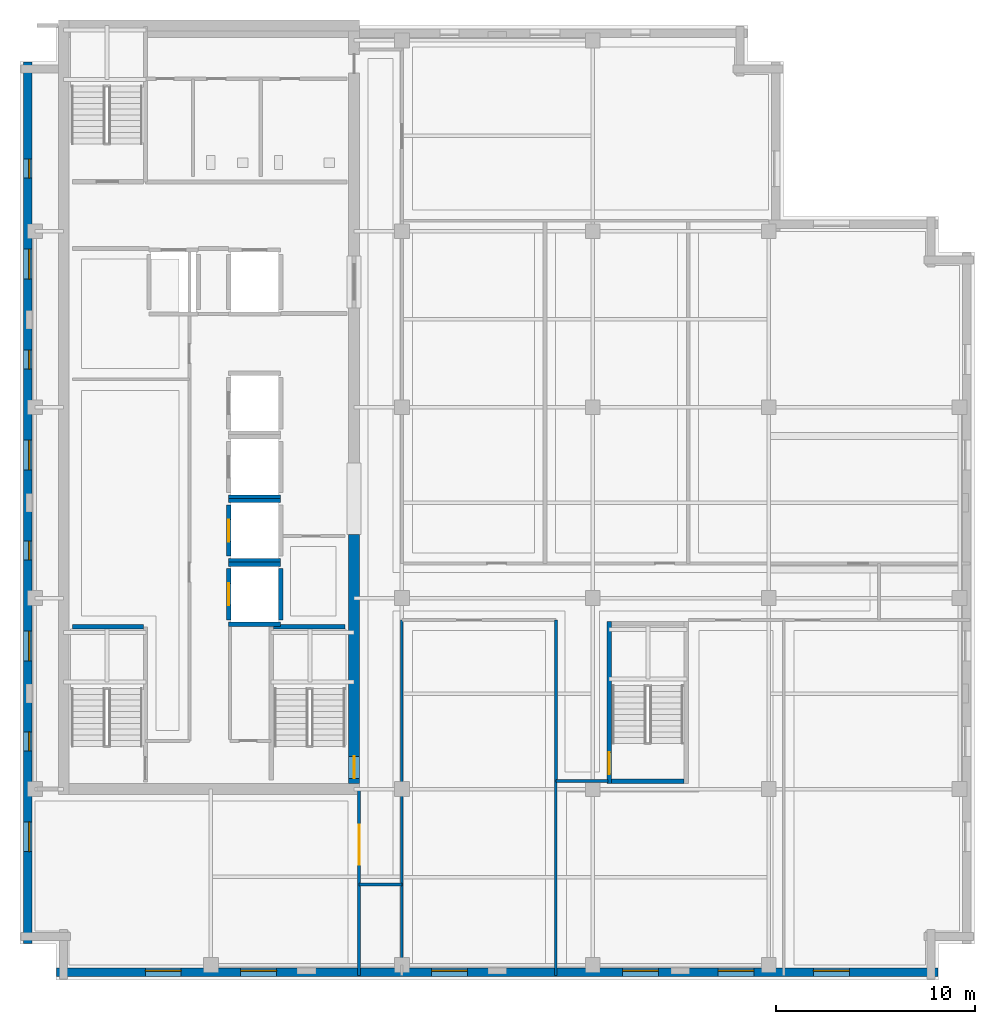
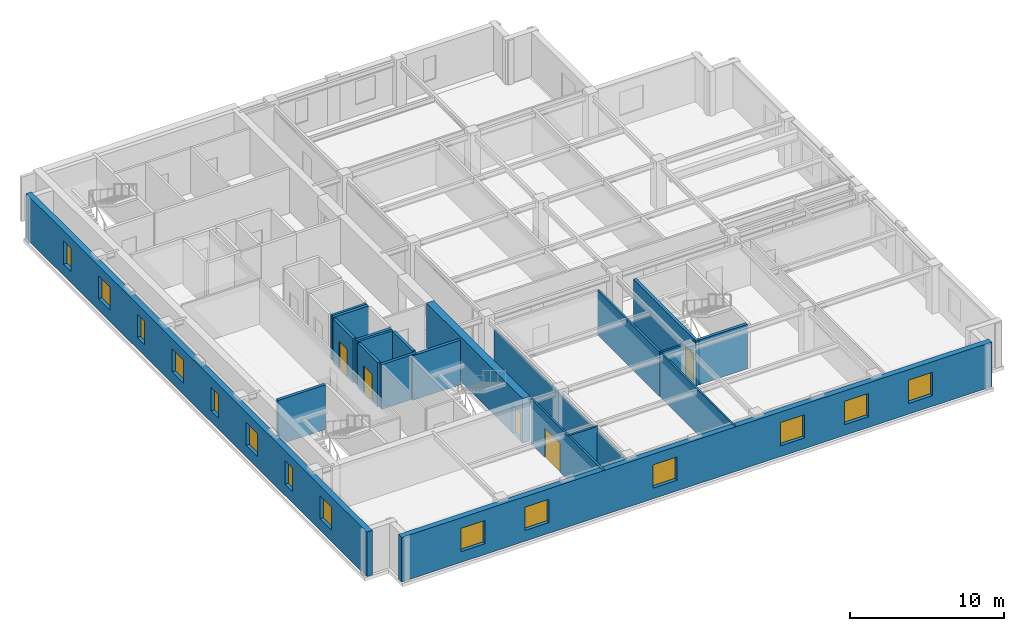
# One storey, part 3 of 10: 21 walls, 14 windows, 5 doors, 19 openings.
"""IFC4 building model written with IfcOpenShell, lengths in metres."""

from ifc_helpers import new_model, si_unit, direction, frame, frame_2d, origin, place, context, subcontext, project, spatial, rectangle, extrude, material, layer, layer_set, type_object, element, fill, save


model = new_model("IFC4")

# Units and contexts
model_context = context("Model", 3, precision=1e-05, world=origin(), true_north=direction((0.0, 1.0)))
body_context = subcontext(model_context, "Body", "Model", "MODEL_VIEW")
ifc_project = project(units=[si_unit("LENGTHUNIT", "METRE"), si_unit("AREAUNIT", "SQUARE_METRE"), si_unit("VOLUMEUNIT", "CUBIC_METRE"), si_unit("PLANEANGLEUNIT", "RADIAN"), si_unit("MASSUNIT", "GRAM", prefix="KILO")], contexts=[model_context])

# Site, building, storey
site_placement = place(None, origin())
site = spatial("IfcSite", under=ifc_project, at=site_placement, CompositionType="ELEMENT")
building_placement = place(site_placement, origin())
building = spatial("IfcBuilding", under=site, at=building_placement, Name="Norrvale University Quadrangle", CompositionType="ELEMENT")
storey_placement = place(building_placement, frame((0.0, 0.0, 273.39990234375)))
storey = spatial("IfcBuildingStorey", under=building, at=storey_placement, Name="L69", CompositionType="ELEMENT", Elevation=273.39990234375)

# Wall, openings, windows
ifc_material_1 = material(Name="Buff Norman Clay Brick Masonry", Category="masonry")
ifc_layer_1 = layer(ifc_material_1, 0.419921875, Name="Buff Norman Clay Brick Masonry")
ifc_layer_set_1 = layer_set([ifc_layer_1], Name="Buff Norman Clay Brick Masonry")
wall_type_1 = type_object("IfcWallType", Name="Wall Buff Brick 420", PredefinedType="SOLIDWALL", material=ifc_layer_set_1)
wall_1_placement = place(storey_placement, frame((1.840087890625, 0.389892578125, 0.0), z_axis=(0.0, 0.0, 1.0), x_axis=(1.0, 0.0, 0.0)))
wall_1 = element("IfcWall", 1, at=wall_1_placement, inside=storey, type_object=wall_type_1, Name="Exterior Brick Facade Wall L69-01.1", PredefinedType="SOLIDWALL", context=body_context, shape_type="SweptSolid", body=[
    extrude(rectangle(XDim=44.31982421875, YDim=0.419921875, at=frame_2d((22.159912109375, 0.0))), origin(), (0.0, 0.0, 1.0), 3.5400390625),
])
opening_1_placement = place(wall_1_placement, frame((4.4599609375, 0.0, 0.85009765625)))
opening_1 = element("IfcOpeningElement", 2, at=opening_1_placement, cuts=wall_1, Name="Opening W01", PredefinedType="OPENING", context=body_context, shape_type="SweptSolid", body=[
    extrude(rectangle(XDim=1.800048828125, YDim=1.85009765625, at=frame_2d((0.89990234375, 0.925048828125))), frame((0.0, 0.221923828125, 0.0), z_axis=(0.0, -1.0, 0.0), x_axis=(1.0, 0.0, 0.0)), (0.0, 0.0, 1.0), 0.44384765625),
])
opening_2_placement = place(wall_1_placement, frame((9.260009765625, 0.0, 0.85009765625)))
opening_2 = element("IfcOpeningElement", 3, at=opening_2_placement, cuts=wall_1, Name="Opening W01", PredefinedType="OPENING", context=body_context, shape_type="SweptSolid", body=[
    extrude(rectangle(XDim=1.800048828125, YDim=1.85009765625, at=frame_2d((0.89990234375, 0.925048828125))), frame((0.0, 0.221923828125, 0.0), z_axis=(0.0, -1.0, 0.0), x_axis=(1.0, 0.0, 0.0)), (0.0, 0.0, 1.0), 0.44384765625),
])
opening_3_placement = place(wall_1_placement, frame((18.860107421875, 0.0, 0.85009765625)))
opening_3 = element("IfcOpeningElement", 4, at=opening_3_placement, cuts=wall_1, Name="Opening W01", PredefinedType="OPENING", context=body_context, shape_type="SweptSolid", body=[
    extrude(rectangle(XDim=1.800048828125, YDim=1.85009765625, at=frame_2d((0.89990234375, 0.925048828125))), frame((0.0, 0.221923828125, 0.0), z_axis=(0.0, -1.0, 0.0), x_axis=(1.0, 0.0, 0.0)), (0.0, 0.0, 1.0), 0.44384765625),
])
opening_4_placement = place(wall_1_placement, frame((28.4599609375, 0.0, 0.85009765625)))
opening_4 = element("IfcOpeningElement", 5, at=opening_4_placement, cuts=wall_1, Name="Opening W01", PredefinedType="OPENING", context=body_context, shape_type="SweptSolid", body=[
    extrude(rectangle(XDim=1.800048828125, YDim=1.85009765625, at=frame_2d((0.89990234375, 0.925048828125))), frame((0.0, 0.221923828125, 0.0), z_axis=(0.0, -1.0, 0.0), x_axis=(1.0, 0.0, 0.0)), (0.0, 0.0, 1.0), 0.44384765625),
])
opening_5_placement = place(wall_1_placement, frame((33.260009765625, 0.0, 0.85009765625)))
opening_5 = element("IfcOpeningElement", 6, at=opening_5_placement, cuts=wall_1, Name="Opening W01", PredefinedType="OPENING", context=body_context, shape_type="SweptSolid", body=[
    extrude(rectangle(XDim=1.800048828125, YDim=1.85009765625, at=frame_2d((0.89990234375, 0.925048828125))), frame((0.0, 0.221923828125, 0.0), z_axis=(0.0, -1.0, 0.0), x_axis=(1.0, 0.0, 0.0)), (0.0, 0.0, 1.0), 0.44384765625),
])
opening_6_placement = place(wall_1_placement, frame((38.06005859375, 0.0, 0.85009765625)))
opening_6 = element("IfcOpeningElement", 7, at=opening_6_placement, cuts=wall_1, Name="Opening W01", PredefinedType="OPENING", context=body_context, shape_type="SweptSolid", body=[
    extrude(rectangle(XDim=1.800048828125, YDim=1.85009765625, at=frame_2d((0.89990234375, 0.925048828125))), frame((0.0, 0.221923828125, 0.0), z_axis=(0.0, -1.0, 0.0), x_axis=(1.0, 0.0, 0.0)), (0.0, 0.0, 1.0), 0.44384765625),
])
ifc_material_2 = material(Name="Triple Low-E Argon Glazing", Category="glass")
window_type_1 = type_object("IfcWindowType", Name="Window Academic 1800x2300", PartitioningType="DOUBLE_PANEL_VERTICAL", PredefinedType="WINDOW", material=ifc_material_2)
window_1_placement = place(opening_1_placement, origin())
window_1 = element("IfcWindow", 8, at=window_1_placement, inside=storey, type_object=window_type_1, Name="Window Academic 1800x2300 WIN-L69-E01-1-01", OverallHeight=1.85009765625, OverallWidth=1.800048828125, PartitioningType="DOUBLE_PANEL_VERTICAL", PredefinedType="WINDOW", context=body_context, shape_type="SweptSolid", body=[
    extrude(rectangle(XDim=1.800048828125, YDim=1.85009765625, at=frame_2d((0.89990234375, 0.925048828125))), frame((0.0, 0.110107421875, 0.0), z_axis=(0.0, -1.0, 0.0), x_axis=(1.0, 0.0, 0.0)), (0.0, 0.0, 1.0), 0.06005859375),
])
fill(opening_1, window_1)
window_2_placement = place(opening_2_placement, origin())
window_2 = element("IfcWindow", 9, at=window_2_placement, inside=storey, type_object=window_type_1, Name="Window Academic 1800x2300 WIN-L69-E01-1-02", OverallHeight=1.85009765625, OverallWidth=1.800048828125, PartitioningType="DOUBLE_PANEL_VERTICAL", PredefinedType="WINDOW", context=body_context, shape_type="SweptSolid", body=[
    extrude(rectangle(XDim=1.800048828125, YDim=1.85009765625, at=frame_2d((0.89990234375, 0.925048828125))), frame((0.0, 0.110107421875, 0.0), z_axis=(0.0, -1.0, 0.0), x_axis=(1.0, 0.0, 0.0)), (0.0, 0.0, 1.0), 0.06005859375),
])
fill(opening_2, window_2)
window_3_placement = place(opening_3_placement, origin())
window_3 = element("IfcWindow", 10, at=window_3_placement, inside=storey, type_object=window_type_1, Name="Window Academic 1800x2300 WIN-L69-E01-1-03", OverallHeight=1.85009765625, OverallWidth=1.800048828125, PartitioningType="DOUBLE_PANEL_VERTICAL", PredefinedType="WINDOW", context=body_context, shape_type="SweptSolid", body=[
    extrude(rectangle(XDim=1.800048828125, YDim=1.85009765625, at=frame_2d((0.89990234375, 0.925048828125))), frame((0.0, 0.110107421875, 0.0), z_axis=(0.0, -1.0, 0.0), x_axis=(1.0, 0.0, 0.0)), (0.0, 0.0, 1.0), 0.06005859375),
])
fill(opening_3, window_3)
window_4_placement = place(opening_4_placement, origin())
window_4 = element("IfcWindow", 11, at=window_4_placement, inside=storey, type_object=window_type_1, Name="Window Academic 1800x2300 WIN-L69-E01-1-04", OverallHeight=1.85009765625, OverallWidth=1.800048828125, PartitioningType="DOUBLE_PANEL_VERTICAL", PredefinedType="WINDOW", context=body_context, shape_type="SweptSolid", body=[
    extrude(rectangle(XDim=1.800048828125, YDim=1.85009765625, at=frame_2d((0.89990234375, 0.925048828125))), frame((0.0, 0.110107421875, 0.0), z_axis=(0.0, -1.0, 0.0), x_axis=(1.0, 0.0, 0.0)), (0.0, 0.0, 1.0), 0.06005859375),
])
fill(opening_4, window_4)
window_5_placement = place(opening_5_placement, origin())
window_5 = element("IfcWindow", 12, at=window_5_placement, inside=storey, type_object=window_type_1, Name="Window Academic 1800x2300 WIN-L69-E01-1-05", OverallHeight=1.85009765625, OverallWidth=1.800048828125, PartitioningType="DOUBLE_PANEL_VERTICAL", PredefinedType="WINDOW", context=body_context, shape_type="SweptSolid", body=[
    extrude(rectangle(XDim=1.800048828125, YDim=1.85009765625, at=frame_2d((0.89990234375, 0.925048828125))), frame((0.0, 0.110107421875, 0.0), z_axis=(0.0, -1.0, 0.0), x_axis=(1.0, 0.0, 0.0)), (0.0, 0.0, 1.0), 0.06005859375),
])
fill(opening_5, window_5)
window_6_placement = place(opening_6_placement, origin())
window_6 = element("IfcWindow", 13, at=window_6_placement, inside=storey, type_object=window_type_1, Name="Window Academic 1800x2300 WIN-L69-E01-1-06", OverallHeight=1.85009765625, OverallWidth=1.800048828125, PartitioningType="DOUBLE_PANEL_VERTICAL", PredefinedType="WINDOW", context=body_context, shape_type="SweptSolid", body=[
    extrude(rectangle(XDim=1.800048828125, YDim=1.85009765625, at=frame_2d((0.89990234375, 0.925048828125))), frame((0.0, 0.110107421875, 0.0), z_axis=(0.0, -1.0, 0.0), x_axis=(1.0, 0.0, 0.0)), (0.0, 0.0, 1.0), 0.06005859375),
])
fill(opening_6, window_6)

wall_2_placement = place(storey_placement, frame((0.389892578125, 46.159912109375, 0.0), z_axis=(0.0, 0.0, 1.0), x_axis=(0.0, -1.0, 0.0)))
wall_2 = element("IfcWall", 14, at=wall_2_placement, inside=storey, type_object=wall_type_1, Name="Exterior Brick Facade Wall L69-14.1", PredefinedType="SOLIDWALL", context=body_context, shape_type="SweptSolid", body=[
    extrude(rectangle(XDim=44.31982421875, YDim=0.419921875, at=frame_2d((22.159912109375, 0.0))), origin(), (0.0, 0.0, 1.0), 3.5400390625),
])
opening_7_placement = place(wall_2_placement, frame((4.885009765625, 0.0, 0.89990234375)))
opening_7 = element("IfcOpeningElement", 15, at=opening_7_placement, cuts=wall_2, Name="Opening W04", PredefinedType="OPENING", context=body_context, shape_type="SweptSolid", body=[
    extrude(rectangle(XDim=0.949951171875, YDim=1.85009765625, at=frame_2d((0.47509765625, 0.925048828125))), frame((0.0, 0.221923828125, 0.0), z_axis=(0.0, -1.0, 0.0), x_axis=(1.0, 0.0, 0.0)), (0.0, 0.0, 1.0), 0.44384765625),
])
opening_8_placement = place(wall_2_placement, frame((9.409912109375, 0.0, 0.89990234375)))
opening_8 = element("IfcOpeningElement", 16, at=opening_8_placement, cuts=wall_2, Name="Opening W03", PredefinedType="OPENING", context=body_context, shape_type="SweptSolid", body=[
    extrude(rectangle(XDim=1.5, YDim=1.85009765625, at=frame_2d((0.75, 0.925048828125))), frame((0.0, 0.221923828125, 0.0), z_axis=(0.0, -1.0, 0.0), x_axis=(1.0, 0.0, 0.0)), (0.0, 0.0, 1.0), 0.44384765625),
])
opening_9_placement = place(wall_2_placement, frame((14.485107421875, 0.0, 0.89990234375)))
opening_9 = element("IfcOpeningElement", 17, at=opening_9_placement, cuts=wall_2, Name="Opening W04", PredefinedType="OPENING", context=body_context, shape_type="SweptSolid", body=[
    extrude(rectangle(XDim=0.949951171875, YDim=1.85009765625, at=frame_2d((0.47509765625, 0.925048828125))), frame((0.0, 0.221923828125, 0.0), z_axis=(0.0, -1.0, 0.0), x_axis=(1.0, 0.0, 0.0)), (0.0, 0.0, 1.0), 0.44384765625),
])
opening_10_placement = place(wall_2_placement, frame((19.010009765625, 0.0, 0.89990234375)))
opening_10 = element("IfcOpeningElement", 18, at=opening_10_placement, cuts=wall_2, Name="Opening W03", PredefinedType="OPENING", context=body_context, shape_type="SweptSolid", body=[
    extrude(rectangle(XDim=1.5, YDim=1.85009765625, at=frame_2d((0.75, 0.925048828125))), frame((0.0, 0.221923828125, 0.0), z_axis=(0.0, -1.0, 0.0), x_axis=(1.0, 0.0, 0.0)), (0.0, 0.0, 1.0), 0.44384765625),
])
opening_11_placement = place(wall_2_placement, frame((24.0849609375, 0.0, 0.89990234375)))
opening_11 = element("IfcOpeningElement", 19, at=opening_11_placement, cuts=wall_2, Name="Opening W04", PredefinedType="OPENING", context=body_context, shape_type="SweptSolid", body=[
    extrude(rectangle(XDim=0.949951171875, YDim=1.85009765625, at=frame_2d((0.47509765625, 0.925048828125))), frame((0.0, 0.221923828125, 0.0), z_axis=(0.0, -1.0, 0.0), x_axis=(1.0, 0.0, 0.0)), (0.0, 0.0, 1.0), 0.44384765625),
])
opening_12_placement = place(wall_2_placement, frame((28.610107421875, 0.0, 0.89990234375)))
opening_12 = element("IfcOpeningElement", 20, at=opening_12_placement, cuts=wall_2, Name="Opening W03", PredefinedType="OPENING", context=body_context, shape_type="SweptSolid", body=[
    extrude(rectangle(XDim=1.5, YDim=1.85009765625, at=frame_2d((0.75, 0.925048828125))), frame((0.0, 0.221923828125, 0.0), z_axis=(0.0, -1.0, 0.0), x_axis=(1.0, 0.0, 0.0)), (0.0, 0.0, 1.0), 0.44384765625),
])
opening_13_placement = place(wall_2_placement, frame((33.68505859375, 0.0, 0.89990234375)))
opening_13 = element("IfcOpeningElement", 21, at=opening_13_placement, cuts=wall_2, Name="Opening W04", PredefinedType="OPENING", context=body_context, shape_type="SweptSolid", body=[
    extrude(rectangle(XDim=0.949951171875, YDim=1.85009765625, at=frame_2d((0.47509765625, 0.925048828125))), frame((0.0, 0.221923828125, 0.0), z_axis=(0.0, -1.0, 0.0), x_axis=(1.0, 0.0, 0.0)), (0.0, 0.0, 1.0), 0.44384765625),
])
opening_14_placement = place(wall_2_placement, frame((38.2099609375, 0.0, 0.89990234375)))
opening_14 = element("IfcOpeningElement", 22, at=opening_14_placement, cuts=wall_2, Name="Opening W03", PredefinedType="OPENING", context=body_context, shape_type="SweptSolid", body=[
    extrude(rectangle(XDim=1.5, YDim=1.85009765625, at=frame_2d((0.75, 0.925048828125))), frame((0.0, 0.221923828125, 0.0), z_axis=(0.0, -1.0, 0.0), x_axis=(1.0, 0.0, 0.0)), (0.0, 0.0, 1.0), 0.44384765625),
])
window_type_2 = type_object("IfcWindowType", Name="Window Narrow Pier 950x2300", PartitioningType="SINGLE_PANEL", PredefinedType="WINDOW", material=ifc_material_2)
window_7_placement = place(opening_7_placement, origin())
window_7 = element("IfcWindow", 23, at=window_7_placement, inside=storey, type_object=window_type_2, Name="Window Narrow Pier 950x2300 WIN-L69-E14-1-01", OverallHeight=1.85009765625, OverallWidth=0.949951171875, PartitioningType="SINGLE_PANEL", PredefinedType="WINDOW", context=body_context, shape_type="SweptSolid", body=[
    extrude(rectangle(XDim=0.949951171875, YDim=1.85009765625, at=frame_2d((0.47509765625, 0.925048828125))), frame((0.0, 0.110107421875, 0.0), z_axis=(0.0, -1.0, 0.0), x_axis=(1.0, 0.0, 0.0)), (0.0, 0.0, 1.0), 0.06005859375),
])
fill(opening_7, window_7)
window_8_placement = place(opening_9_placement, origin())
window_8 = element("IfcWindow", 24, at=window_8_placement, inside=storey, type_object=window_type_2, Name="Window Narrow Pier 950x2300 WIN-L69-E14-1-03", OverallHeight=1.85009765625, OverallWidth=0.949951171875, PartitioningType="SINGLE_PANEL", PredefinedType="WINDOW", context=body_context, shape_type="SweptSolid", body=[
    extrude(rectangle(XDim=0.949951171875, YDim=1.85009765625, at=frame_2d((0.47509765625, 0.925048828125))), frame((0.0, 0.110107421875, 0.0), z_axis=(0.0, -1.0, 0.0), x_axis=(1.0, 0.0, 0.0)), (0.0, 0.0, 1.0), 0.06005859375),
])
fill(opening_9, window_8)
window_9_placement = place(opening_11_placement, origin())
window_9 = element("IfcWindow", 25, at=window_9_placement, inside=storey, type_object=window_type_2, Name="Window Narrow Pier 950x2300 WIN-L69-E14-1-05", OverallHeight=1.85009765625, OverallWidth=0.949951171875, PartitioningType="SINGLE_PANEL", PredefinedType="WINDOW", context=body_context, shape_type="SweptSolid", body=[
    extrude(rectangle(XDim=0.949951171875, YDim=1.85009765625, at=frame_2d((0.47509765625, 0.925048828125))), frame((0.0, 0.110107421875, 0.0), z_axis=(0.0, -1.0, 0.0), x_axis=(1.0, 0.0, 0.0)), (0.0, 0.0, 1.0), 0.06005859375),
])
fill(opening_11, window_9)
window_10_placement = place(opening_13_placement, origin())
window_10 = element("IfcWindow", 26, at=window_10_placement, inside=storey, type_object=window_type_2, Name="Window Narrow Pier 950x2300 WIN-L69-E14-1-07", OverallHeight=1.85009765625, OverallWidth=0.949951171875, PartitioningType="SINGLE_PANEL", PredefinedType="WINDOW", context=body_context, shape_type="SweptSolid", body=[
    extrude(rectangle(XDim=0.949951171875, YDim=1.85009765625, at=frame_2d((0.47509765625, 0.925048828125))), frame((0.0, 0.110107421875, 0.0), z_axis=(0.0, -1.0, 0.0), x_axis=(1.0, 0.0, 0.0)), (0.0, 0.0, 1.0), 0.06005859375),
])
fill(opening_13, window_10)
window_type_3 = type_object("IfcWindowType", Name="Window Studio 1500x2300", PartitioningType="DOUBLE_PANEL_VERTICAL", PredefinedType="WINDOW", material=ifc_material_2)
window_11_placement = place(opening_8_placement, origin())
window_11 = element("IfcWindow", 27, at=window_11_placement, inside=storey, type_object=window_type_3, Name="Window Studio 1500x2300 WIN-L69-E14-1-02", OverallHeight=1.85009765625, OverallWidth=1.5, PartitioningType="DOUBLE_PANEL_VERTICAL", PredefinedType="WINDOW", context=body_context, shape_type="SweptSolid", body=[
    extrude(rectangle(XDim=1.5, YDim=1.85009765625, at=frame_2d((0.75, 0.925048828125))), frame((0.0, 0.110107421875, 0.0), z_axis=(0.0, -1.0, 0.0), x_axis=(1.0, 0.0, 0.0)), (0.0, 0.0, 1.0), 0.06005859375),
])
fill(opening_8, window_11)
window_12_placement = place(opening_10_placement, origin())
window_12 = element("IfcWindow", 28, at=window_12_placement, inside=storey, type_object=window_type_3, Name="Window Studio 1500x2300 WIN-L69-E14-1-04", OverallHeight=1.85009765625, OverallWidth=1.5, PartitioningType="DOUBLE_PANEL_VERTICAL", PredefinedType="WINDOW", context=body_context, shape_type="SweptSolid", body=[
    extrude(rectangle(XDim=1.5, YDim=1.85009765625, at=frame_2d((0.75, 0.925048828125))), frame((0.0, 0.110107421875, 0.0), z_axis=(0.0, -1.0, 0.0), x_axis=(1.0, 0.0, 0.0)), (0.0, 0.0, 1.0), 0.06005859375),
])
fill(opening_10, window_12)
window_13_placement = place(opening_12_placement, origin())
window_13 = element("IfcWindow", 29, at=window_13_placement, inside=storey, type_object=window_type_3, Name="Window Studio 1500x2300 WIN-L69-E14-1-06", OverallHeight=1.85009765625, OverallWidth=1.5, PartitioningType="DOUBLE_PANEL_VERTICAL", PredefinedType="WINDOW", context=body_context, shape_type="SweptSolid", body=[
    extrude(rectangle(XDim=1.5, YDim=1.85009765625, at=frame_2d((0.75, 0.925048828125))), frame((0.0, 0.110107421875, 0.0), z_axis=(0.0, -1.0, 0.0), x_axis=(1.0, 0.0, 0.0)), (0.0, 0.0, 1.0), 0.06005859375),
])
fill(opening_12, window_13)
window_14_placement = place(opening_14_placement, origin())
window_14 = element("IfcWindow", 30, at=window_14_placement, inside=storey, type_object=window_type_3, Name="Window Studio 1500x2300 WIN-L69-E14-1-08", OverallHeight=1.85009765625, OverallWidth=1.5, PartitioningType="DOUBLE_PANEL_VERTICAL", PredefinedType="WINDOW", context=body_context, shape_type="SweptSolid", body=[
    extrude(rectangle(XDim=1.5, YDim=1.85009765625, at=frame_2d((0.75, 0.925048828125))), frame((0.0, 0.110107421875, 0.0), z_axis=(0.0, -1.0, 0.0), x_axis=(1.0, 0.0, 0.0)), (0.0, 0.0, 1.0), 0.06005859375),
])
fill(opening_14, window_14)

# Wall, opening, door
ifc_material_3 = material(Name="Concrete C60/75", Category="concrete")
ifc_layer_2 = layer(ifc_material_3, 0.550048828125, Name="Concrete C60/75")
ifc_layer_set_2 = layer_set([ifc_layer_2], Name="Concrete C60/75")
wall_type_2 = type_object("IfcWallType", Name="Wall Core 550", PredefinedType="SHEAR", material=ifc_layer_set_2)
wall_3_placement = place(storey_placement, frame((16.800048828125, 9.875, 0.0), z_axis=(0.0, 0.0, 1.0), x_axis=(0.0, 1.0, 0.0)))
wall_3 = element("IfcWall", 31, at=wall_3_placement, inside=storey, type_object=wall_type_2, Name="Tower Core Shear Wall L69-E1", PredefinedType="SHEAR", context=body_context, shape_type="SweptSolid", body=[
    extrude(rectangle(XDim=12.52490234375, YDim=0.550048828125, at=frame_2d((6.262451171875, 0.0))), origin(), (0.0, 0.0, 1.0), 3.5400390625),
])
opening_15_placement = place(wall_3_placement, frame((0.264892578125, 0.0, 0.0)))
opening_15 = element("IfcOpeningElement", 32, at=opening_15_placement, cuts=wall_3, Name="Opening D02", PredefinedType="OPENING", context=body_context, shape_type="SweptSolid", body=[
    extrude(rectangle(XDim=1.10009765625, YDim=2.199951171875, at=frame_2d((0.550048828125, 1.10009765625))), frame((0.0, 0.287109375, 0.0), z_axis=(0.0, -1.0, 0.0), x_axis=(1.0, 0.0, 0.0)), (0.0, 0.0, 1.0), 0.573974609375),
])
ifc_material_4 = material(Name="Hollow Steel 350W Fire Door", Category="steel")
door_type_1 = type_object("IfcDoorType", Name="Door Stair Exit 1100x2200", OperationType="NOTDEFINED", PredefinedType="DOOR", material=ifc_material_4)
door_1_placement = place(opening_15_placement, origin())
door_1 = element("IfcDoor", 33, at=door_1_placement, inside=storey, type_object=door_type_1, Name="Door Stair Exit 1100x2200 DR-L69-ST03", OperationType="SINGLE_SWING_LEFT", OverallHeight=2.199951171875, OverallWidth=1.10009765625, PredefinedType="DOOR", context=body_context, shape_type="SweptSolid", body=[
    extrude(rectangle(XDim=1.10009765625, YDim=2.199951171875, at=frame_2d((0.550048828125, 1.10009765625))), frame((0.0, 0.02490234375, 0.0), z_axis=(0.0, -1.0, 0.0), x_axis=(1.0, 0.0, 0.0)), (0.0, 0.0, 1.0), 0.050048828125),
])
fill(opening_15, door_1)

# Walls
ifc_material_5 = material(Name="Standard Academic Gypsum Partition")
ifc_layer_3 = layer(ifc_material_5, 0.125, Name="Standard Academic Gypsum Partition")
ifc_layer_set_3 = layer_set([ifc_layer_3], Name="Standard Academic Gypsum Partition")
wall_type_3 = type_object("IfcWallType", Name="Wall Gypsum Academic 125", PredefinedType="PARTITIONING", material=ifc_layer_set_3)
wall_4_placement = place(storey_placement, frame((19.199951171875, 0.75, 0.0), z_axis=(0.0, 0.0, 1.0), x_axis=(0.0, 1.0, 0.0)))
element("IfcWall", 34, at=wall_4_placement, inside=storey, type_object=wall_type_3, Name="Interior Partition WL-L69-SE-W0-B2", PredefinedType="PARTITIONING", context=body_context, shape_type="SweptSolid", body=[
    extrude(rectangle(XDim=17.35009765625, YDim=0.125, at=frame_2d((8.675048828125, 0.0))), origin(), (0.0, 0.0, 1.0), 3.123046875),
])
wall_5_placement = place(storey_placement, frame((26.949951171875, 0.219970703125, 0.0), z_axis=(0.0, 0.0, 1.0), x_axis=(0.0, 1.0, 0.0)))
element("IfcWall", 35, at=wall_5_placement, inside=storey, type_object=wall_type_3, Name="Interior Partition WL-L69-SEP1A", PredefinedType="PARTITIONING", context=body_context, shape_type="SweptSolid", body=[
    extrude(rectangle(XDim=9.780029296875, YDim=0.125, at=frame_2d((4.89013671875, 0.0))), origin(), (0.0, 0.0, 1.0), 3.5400390625),
])
ifc_material_6 = material(Name="Fire-Rated Gypsum Stud Partition")
ifc_layer_4 = layer(ifc_material_6, 0.14990234375, Name="Fire-Rated Gypsum Stud Partition")
ifc_layer_set_4 = layer_set([ifc_layer_4], Name="Fire-Rated Gypsum Stud Partition")
wall_type_4 = type_object("IfcWallType", Name="Wall Gypsum Corridor 150", PredefinedType="PARTITIONING", material=ifc_layer_set_4)
wall_6_placement = place(storey_placement, frame((17.050048828125, 4.800048828125, 0.0), z_axis=(0.0, 0.0, 1.0), x_axis=(1.0, 0.0, 0.0)))
element("IfcWall", 36, at=wall_6_placement, inside=storey, type_object=wall_type_4, Name="Interior Partition WL-L69-CSP-S", PredefinedType="PARTITIONING", context=body_context, shape_type="SweptSolid", body=[
    extrude(rectangle(XDim=2.14990234375, YDim=0.14990234375, at=frame_2d((1.074951171875, 0.0))), origin(), (0.0, 0.0, 1.0), 3.5400390625),
])

# Wall, opening, door
wall_7_placement = place(storey_placement, frame((17.050048828125, 0.219970703125, 0.0), z_axis=(0.0, 0.0, 1.0), x_axis=(0.0, 1.0, 0.0)))
wall_7 = element("IfcWall", 37, at=wall_7_placement, inside=storey, type_object=wall_type_4, Name="Interior Partition WL-L69-SW-E", PredefinedType="PARTITIONING", context=body_context, shape_type="SweptSolid", body=[
    extrude(rectangle(XDim=9.380126953125, YDim=0.14990234375, at=frame_2d((4.68994140625, 0.0))), origin(), (0.0, 0.0, 1.0), 3.5400390625),
])
opening_16_placement = place(wall_7_placement, frame((5.580078125, 0.0, 0.0)))
opening_16 = element("IfcOpeningElement", 38, at=opening_16_placement, cuts=wall_7, Name="Opening D06", PredefinedType="OPENING", context=body_context, shape_type="SweptSolid", body=[
    extrude(rectangle(XDim=2.0, YDim=2.300048828125, at=frame_2d((1.0, 1.14990234375))), frame((0.0, 0.0869140625, 0.0), z_axis=(0.0, -1.0, 0.0), x_axis=(1.0, 0.0, 0.0)), (0.0, 0.0, 1.0), 0.173828125),
])
ifc_material_7 = material(Name="Acoustic Oak Double Door", Category="wood")
door_type_2 = type_object("IfcDoorType", Name="Door Lecture Dbl 2000x2300", OperationType="DOUBLE_SWING_LEFT", PredefinedType="DOOR", material=ifc_material_7)
door_2_placement = place(opening_16_placement, origin())
door_2 = element("IfcDoor", 39, at=door_2_placement, inside=storey, type_object=door_type_2, Name="Door Lecture Dbl 2000x2300 DR-L69-SW1", OperationType="DOUBLE_SWING_LEFT", OverallHeight=2.300048828125, OverallWidth=2.0, PredefinedType="DOOR", context=body_context, shape_type="SweptSolid", body=[
    extrude(rectangle(XDim=2.0, YDim=2.300048828125, at=frame_2d((1.0, 1.14990234375))), frame((0.0, 0.02490234375, 0.0), z_axis=(0.0, -1.0, 0.0), x_axis=(1.0, 0.0, 0.0)), (0.0, 0.0, 1.0), 0.050048828125),
])
fill(opening_16, door_2)

# Walls
wall_8_placement = place(storey_placement, frame((26.949951171875, 10.0, 0.0), z_axis=(0.0, 0.0, 1.0), x_axis=(0.0, 1.0, 0.0)))
element("IfcWall", 40, at=wall_8_placement, inside=storey, type_object=wall_type_4, Name="Interior Partition WL-L69-SEP1B", PredefinedType="PARTITIONING", context=body_context, shape_type="SweptSolid", body=[
    extrude(rectangle(XDim=8.10009765625, YDim=0.14990234375, at=frame_2d((4.050048828125, 0.0))), origin(), (0.0, 0.0, 1.0), 3.5400390625),
])
wall_9_placement = place(storey_placement, frame((26.949951171875, 10.0, 0.0), z_axis=(0.0, 0.0, 1.0), x_axis=(1.0, 0.0, 0.0)))
element("IfcWall", 41, at=wall_9_placement, inside=storey, type_object=wall_type_4, Name="Interior Partition WL-L69-SEP1C", PredefinedType="PARTITIONING", context=body_context, shape_type="SweptSolid", body=[
    extrude(rectangle(XDim=2.630126953125, YDim=0.14990234375, at=frame_2d((1.31494140625, 0.0))), origin(), (0.0, 0.0, 1.0), 3.5400390625),
])
ifc_material_8 = material(Name="Concrete Blockwork 20 MPa Fire Shaft", Category="masonry")
ifc_layer_5 = layer(ifc_material_8, 0.219970703125, Name="Concrete Blockwork 20 MPa Fire Shaft")
ifc_layer_set_5 = layer_set([ifc_layer_5], Name="Concrete Blockwork 20 MPa Fire Shaft")
wall_type_5 = type_object("IfcWallType", Name="Wall Shaft 220", PredefinedType="SOLIDWALL", material=ifc_layer_set_5)
wall_10_placement = place(storey_placement, frame((2.64990234375, 17.760009765625, 0.0), z_axis=(0.0, 0.0, 1.0), x_axis=(1.0, 0.0, 0.0)))
element("IfcWall", 42, at=wall_10_placement, inside=storey, type_object=wall_type_5, Name="Stair ST-01 North Shaft Wall L69", PredefinedType="SOLIDWALL", context=body_context, shape_type="SweptSolid", body=[
    extrude(rectangle(XDim=3.550048828125, YDim=0.219970703125, at=frame_2d((1.77490234375, 0.0))), origin(), (0.0, 0.0, 1.0), 3.5400390625),
])
wall_11_placement = place(storey_placement, frame((12.75, 17.760009765625, 0.0), z_axis=(0.0, 0.0, 1.0), x_axis=(1.0, 0.0, 0.0)))
element("IfcWall", 43, at=wall_11_placement, inside=storey, type_object=wall_type_5, Name="Stair ST-03 North Shaft Wall L69", PredefinedType="SOLIDWALL", context=body_context, shape_type="SweptSolid", body=[
    extrude(rectangle(XDim=3.60009765625, YDim=0.219970703125, at=frame_2d((1.800048828125, 0.0))), origin(), (0.0, 0.0, 1.0), 3.5400390625),
])
wall_12_placement = place(storey_placement, frame((29.75, 9.989990234375, 0.0), z_axis=(0.0, 0.0, 1.0), x_axis=(1.0, 0.0, 0.0)))
element("IfcWall", 44, at=wall_12_placement, inside=storey, type_object=wall_type_5, Name="Stair ST-04 South Shaft Wall L69", PredefinedType="SOLIDWALL", context=body_context, shape_type="SweptSolid", body=[
    extrude(rectangle(XDim=3.64990234375, YDim=0.219970703125, at=frame_2d((1.824951171875, 0.0))), origin(), (0.0, 0.0, 1.0), 3.5400390625),
])

# Wall, opening, door
wall_13_placement = place(storey_placement, frame((29.639892578125, 9.8798828125, 0.0), z_axis=(0.0, 0.0, 1.0), x_axis=(0.0, 1.0, 0.0)))
wall_13 = element("IfcWall", 45, at=wall_13_placement, inside=storey, type_object=wall_type_5, Name="Stair ST-04 West Shaft Wall L69", PredefinedType="SOLIDWALL", context=body_context, shape_type="SweptSolid", body=[
    extrude(rectangle(XDim=8.14013671875, YDim=0.219970703125, at=frame_2d((4.070068359375, 0.0))), origin(), (0.0, 0.0, 1.0), 3.5400390625),
])
opening_17_placement = place(wall_13_placement, frame((0.469970703125, 0.0, 0.0)))
opening_17 = element("IfcOpeningElement", 46, at=opening_17_placement, cuts=wall_13, Name="Opening D02", PredefinedType="OPENING", context=body_context, shape_type="SweptSolid", body=[
    extrude(rectangle(XDim=1.10009765625, YDim=2.199951171875, at=frame_2d((0.550048828125, 1.10009765625))), frame((0.0, 0.1220703125, 0.0), z_axis=(0.0, -1.0, 0.0), x_axis=(1.0, 0.0, 0.0)), (0.0, 0.0, 1.0), 0.243896484375),
])
door_3_placement = place(opening_17_placement, frame((1.10009765625, 0.0, 0.0), z_axis=(0.0, 0.0, 1.0), x_axis=(-1.0, 0.0, 0.0)))
door_3 = element("IfcDoor", 47, at=door_3_placement, inside=storey, type_object=door_type_1, Name="Door Stair Exit 1100x2200 DR-L69-ST04", OperationType="SINGLE_SWING_RIGHT", OverallHeight=2.199951171875, OverallWidth=1.10009765625, PredefinedType="DOOR", context=body_context, shape_type="SweptSolid", body=[
    extrude(rectangle(XDim=1.10009765625, YDim=2.199951171875, at=frame_2d((0.550048828125, 1.10009765625))), frame((0.0, 0.02490234375, 0.0), z_axis=(0.0, -1.0, 0.0), x_axis=(1.0, 0.0, 0.0)), (0.0, 0.0, 1.0), 0.050048828125),
])
fill(opening_17, door_3)

wall_14_placement = place(storey_placement, frame((10.489990234375, 18.110107421875, 0.0), z_axis=(0.0, 0.0, 1.0), x_axis=(0.0, 1.0, 0.0)))
wall_14 = element("IfcWall", 48, at=wall_14_placement, inside=storey, type_object=wall_type_5, Name="Hoistway PL-05 West Wall L69", PredefinedType="SOLIDWALL", context=body_context, shape_type="SweptSolid", body=[
    extrude(rectangle(XDim=2.579833984375, YDim=0.219970703125, at=frame_2d((1.2900390625, 0.0))), origin(), (0.0, 0.0, 1.0), 3.5400390625),
])
opening_18_placement = place(wall_14_placement, frame((0.739990234375, 0.0, 0.0)))
opening_18 = element("IfcOpeningElement", 49, at=opening_18_placement, cuts=wall_14, Name="Opening LD1", PredefinedType="OPENING", context=body_context, shape_type="SweptSolid", body=[
    extrude(rectangle(XDim=1.10009765625, YDim=2.199951171875, at=frame_2d((0.550048828125, 1.10009765625))), frame((0.0, 0.1220703125, 0.0), z_axis=(0.0, -1.0, 0.0), x_axis=(1.0, 0.0, 0.0)), (0.0, 0.0, 1.0), 0.243896484375),
])
ifc_material_9 = material(Name="Stainless Steel 316L Lift Landing Door", Category="steel")
door_type_3 = type_object("IfcDoorType", Name="Door Lift Landing 1100x2200", OperationType="DOUBLE_DOOR_SLIDING", PredefinedType="DOOR", material=ifc_material_9)
door_4_placement = place(opening_18_placement, origin())
door_4 = element("IfcDoor", 50, at=door_4_placement, inside=storey, type_object=door_type_3, Name="Elevator Landing Door DR-L69-PL-05", OperationType="DOUBLE_DOOR_SLIDING", OverallHeight=2.199951171875, OverallWidth=1.10009765625, PredefinedType="DOOR", context=body_context, shape_type="SweptSolid", body=[
    extrude(rectangle(XDim=1.10009765625, YDim=2.199951171875, at=frame_2d((0.550048828125, 1.10009765625))), frame((0.0, 0.02490234375, 0.0), z_axis=(0.0, -1.0, 0.0), x_axis=(1.0, 0.0, 0.0)), (0.0, 0.0, 1.0), 0.050048828125),
])
fill(opening_18, door_4)

# Walls
wall_15_placement = place(storey_placement, frame((13.110107421875, 18.110107421875, 0.0), z_axis=(0.0, 0.0, 1.0), x_axis=(0.0, 1.0, 0.0)))
element("IfcWall", 51, at=wall_15_placement, inside=storey, type_object=wall_type_5, Name="Hoistway PL-05 East Wall L69", PredefinedType="SOLIDWALL", context=body_context, shape_type="SweptSolid", body=[
    extrude(rectangle(XDim=2.579833984375, YDim=0.219970703125, at=frame_2d((1.2900390625, 0.0))), origin(), (0.0, 0.0, 1.0), 3.5400390625),
])
for number, where, z_axis, x_axis, name in (
    (52, (10.489990234375, 17.889892578125, 0.0), (0.0, 0.0, 1.0), (1.0, 0.0, 0.0), "Hoistway PL-05 South Wall L69"),
    (53, (10.489990234375, 20.909912109375, 0.0), (0.0, 0.0, 1.0), (1.0, 0.0, 0.0), "Hoistway PL-05 North Wall L69"),
):
    element("IfcWall", number, at=place(storey_placement, frame(where, z_axis=z_axis, x_axis=x_axis)), inside=storey, type_object=wall_type_5, Name=name, PredefinedType="SOLIDWALL", context=body_context, shape_type="SweptSolid", body=[
        extrude(rectangle(XDim=2.6201171875, YDim=0.219970703125, at=frame_2d((1.31005859375, 0.0))), origin(), (0.0, 0.0, 1.0), 3.5400390625),
    ])

# Wall, opening, door
wall_16_placement = place(storey_placement, frame((10.489990234375, 21.31005859375, 0.0), z_axis=(0.0, 0.0, 1.0), x_axis=(0.0, 1.0, 0.0)))
wall_16 = element("IfcWall", 54, at=wall_16_placement, inside=storey, type_object=wall_type_5, Name="Hoistway PL-06 West Wall L69", PredefinedType="SOLIDWALL", context=body_context, shape_type="SweptSolid", body=[
    extrude(rectangle(XDim=2.579833984375, YDim=0.219970703125, at=frame_2d((1.2900390625, 0.0))), origin(), (0.0, 0.0, 1.0), 3.5400390625),
])
opening_19_placement = place(wall_16_placement, frame((0.739990234375, 0.0, 0.0)))
opening_19 = element("IfcOpeningElement", 55, at=opening_19_placement, cuts=wall_16, Name="Opening LD1", PredefinedType="OPENING", context=body_context, shape_type="SweptSolid", body=[
    extrude(rectangle(XDim=1.10009765625, YDim=2.199951171875, at=frame_2d((0.550048828125, 1.10009765625))), frame((0.0, 0.1220703125, 0.0), z_axis=(0.0, -1.0, 0.0), x_axis=(1.0, 0.0, 0.0)), (0.0, 0.0, 1.0), 0.243896484375),
])
door_5_placement = place(opening_19_placement, origin())
door_5 = element("IfcDoor", 56, at=door_5_placement, inside=storey, type_object=door_type_3, Name="Elevator Landing Door DR-L69-PL-06", OperationType="DOUBLE_DOOR_SLIDING", OverallHeight=2.199951171875, OverallWidth=1.10009765625, PredefinedType="DOOR", context=body_context, shape_type="SweptSolid", body=[
    extrude(rectangle(XDim=1.10009765625, YDim=2.199951171875, at=frame_2d((0.550048828125, 1.10009765625))), frame((0.0, 0.02490234375, 0.0), z_axis=(0.0, -1.0, 0.0), x_axis=(1.0, 0.0, 0.0)), (0.0, 0.0, 1.0), 0.050048828125),
])
fill(opening_19, door_5)

# Walls
for number, where, z_axis, x_axis, name in (
    (57, (10.489990234375, 21.090087890625, 0.0), (0.0, 0.0, 1.0), (1.0, 0.0, 0.0), "Hoistway PL-06 South Wall L69"),
    (58, (10.489990234375, 24.110107421875, 0.0), (0.0, 0.0, 1.0), (1.0, 0.0, 0.0), "Hoistway PL-06 North Wall L69"),
    (59, (10.489990234375, 24.2900390625, 0.0), (0.0, 0.0, 1.0), (1.0, 0.0, 0.0), "Hoistway PL-07 South Wall L69"),
):
    element("IfcWall", number, at=place(storey_placement, frame(where, z_axis=z_axis, x_axis=x_axis)), inside=storey, type_object=wall_type_5, Name=name, PredefinedType="SOLIDWALL", context=body_context, shape_type="SweptSolid", body=[
        extrude(rectangle(XDim=2.6201171875, YDim=0.219970703125, at=frame_2d((1.31005859375, 0.0))), origin(), (0.0, 0.0, 1.0), 3.5400390625),
    ])

save(model, "model.ifc")
